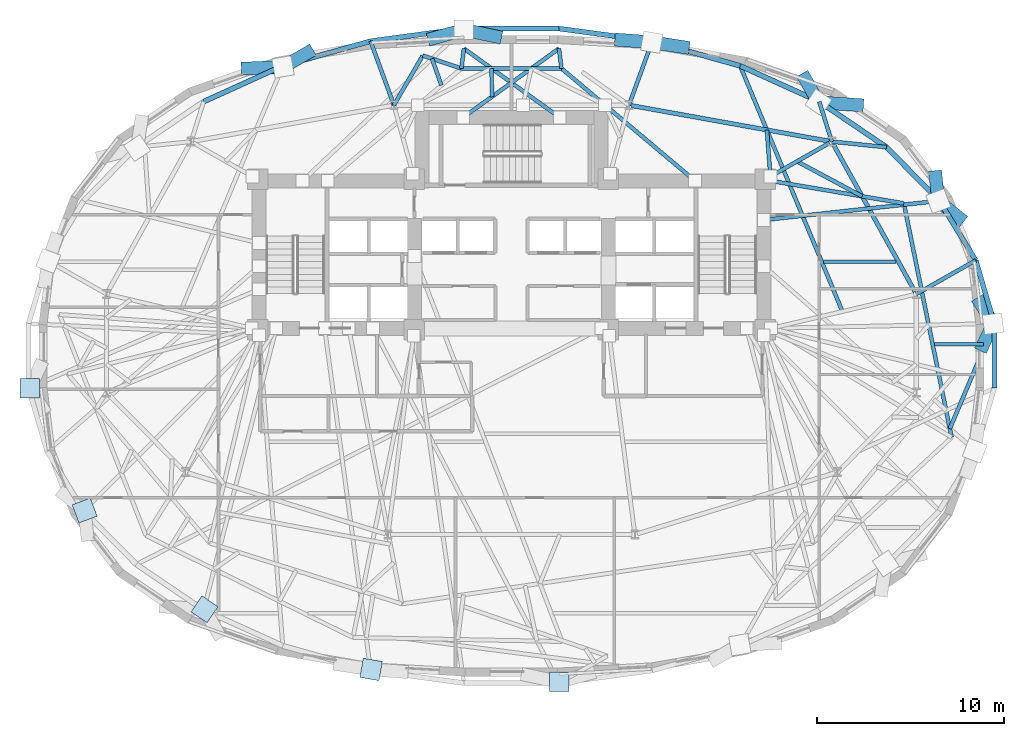
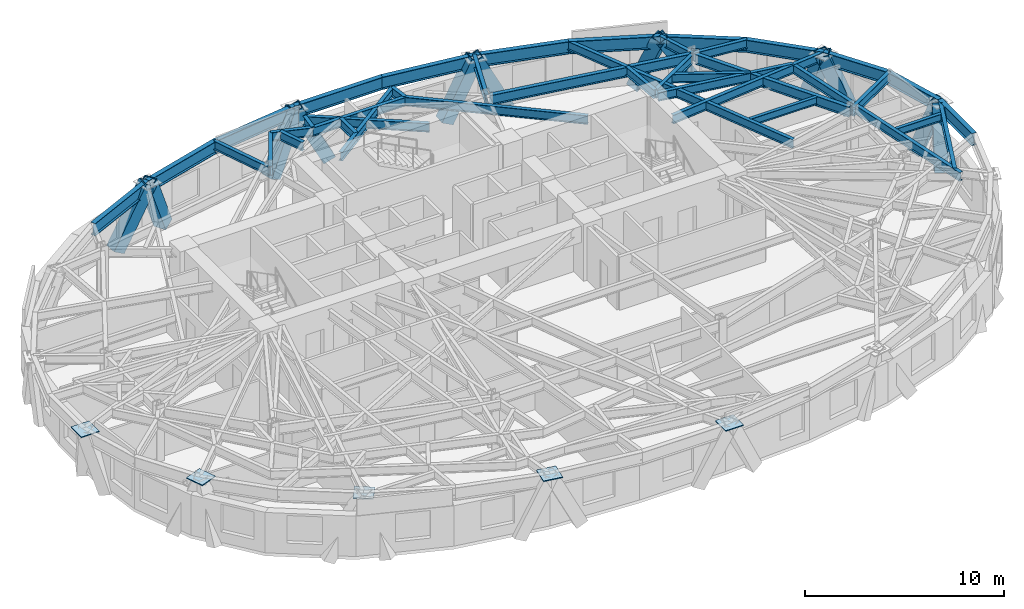
# One storey, part 4 of 13: 39 beams, 12 members, 5 plates.
"""IFC4 building model written with IfcOpenShell, lengths in metres."""

import ifcopenshell
import ifcopenshell.guid

model = None  # the IFC model being written
_history = None  # IfcOwnerHistory: only IFC2X3 demands one
_inside = {}  # id of a spatial element -> (the spatial element, [elements in it])
_under = {}  # id of a project, library or spatial element -> (it, [spatial elements below it])
_declared = {}  # id of a project -> (the project, [libraries it declares])
_typed = {}  # id of a type object -> (the type object, [elements of that type])
_made_of = {}  # id of a material, layer set ... -> (it, [elements and type objects made of it])


def new_model(schema):
    """Start an empty IFC model of exactly this schema.

    Asked for "IFC4X3", IfcOpenShell would pick the latest addendum, in which some entities
    have other attributes; the version numbers below select the first issue.
    IFC2X3 requires an IfcOwnerHistory on every rooted entity: one is made here for all.
    """
    global model, _history
    if schema == "IFC4X3":
        model = ifcopenshell.file(schema_version=(4, 3, 0, 0))
    else:
        model = ifcopenshell.file(schema=schema)
    _inside.clear()
    _under.clear()
    _declared.clear()
    _typed.clear()
    _made_of.clear()
    _history = None
    if model.schema == "IFC2X3":
        org = make("IfcOrganization", Name="unknown")
        user = make(
            "IfcPersonAndOrganization",
            ThePerson=make("IfcPerson", FamilyName="unknown"),
            TheOrganization=org,
        )
        app = make(
            "IfcApplication",
            ApplicationDeveloper=org,
            Version="unknown",
            ApplicationFullName="unknown",
            ApplicationIdentifier="unknown",
        )
        _history = make(
            "IfcOwnerHistory",
            OwningUser=user,
            OwningApplication=app,
            ChangeAction="ADDED",
            CreationDate=0,
        )
    return model


def make(cls, **values):
    """One entity of the class cls with the attributes given. An attribute that is None is left unset."""
    return model.create_entity(
        cls, **{name: value for name, value in values.items() if value is not None}
    )


def rooted(cls, **values):
    """An entity with a GlobalId (a new one), such as an element, a storey or a relation."""
    return make(cls, GlobalId=ifcopenshell.guid.new(), OwnerHistory=_history, **values)


def si_unit(unit_type, name, prefix=None):
    """IfcSIUnit, for example si_unit("LENGTHUNIT", "METRE", prefix="MILLI")."""
    return make("IfcSIUnit", UnitType=unit_type, Prefix=prefix, Name=name)


def assignment(units):
    """IfcUnitAssignment: the units of a project."""
    return None if units is None else make("IfcUnitAssignment", Units=units)


def point(xyz):
    """IfcCartesianPoint."""
    return None if xyz is None else make("IfcCartesianPoint", Coordinates=xyz)


def direction(xyz):
    """IfcDirection."""
    return None if xyz is None else make("IfcDirection", DirectionRatios=xyz)


def frame(location, z_axis=None, x_axis=None):
    """IfcAxis2Placement3D, a coordinate frame: its origin and axes. An axis left out is left unset."""
    return make(
        "IfcAxis2Placement3D",
        Location=point(location),
        Axis=direction(z_axis),
        RefDirection=direction(x_axis),
    )


def frame_2d(location, x_axis=None):
    """IfcAxis2Placement2D, a coordinate frame in the plane: its origin and x axis."""
    return make(
        "IfcAxis2Placement2D", Location=point(location), RefDirection=direction(x_axis)
    )


def origin():
    """The frame at (0, 0, 0) with its axes left unset."""
    return frame((0.0, 0.0, 0.0))


def origin_2d():
    """The frame at (0, 0) in the plane with its x axis left unset."""
    return frame_2d((0.0, 0.0))


def place(relative_to, where):
    """IfcLocalPlacement: puts the frame where relative to a parent placement (None: the world)."""
    return make(
        "IfcLocalPlacement", PlacementRelTo=relative_to, RelativePlacement=where
    )


def context(
    kind, dimensions, precision=None, world=None, true_north=None, identifier=None
):
    """IfcGeometricRepresentationContext, for example the 3D "Model" context."""
    return make(
        "IfcGeometricRepresentationContext",
        ContextIdentifier=identifier,
        ContextType=kind,
        CoordinateSpaceDimension=dimensions,
        Precision=precision,
        WorldCoordinateSystem=world,
        TrueNorth=true_north,
    )


def subcontext(parent, identifier, kind, view, scale=None):
    """IfcGeometricRepresentationSubContext, for example "Body" below "Model"."""
    return make(
        "IfcGeometricRepresentationSubContext",
        ContextIdentifier=identifier,
        ContextType=kind,
        ParentContext=parent,
        TargetScale=scale,
        TargetView=view,
    )


def project(units=None, contexts=None):
    """IfcProject with its units and contexts."""
    return rooted(
        "IfcProject",
        Name="project",
        RepresentationContexts=contexts,
        UnitsInContext=assignment(units),
    )


def spatial(cls, under=None, at=None, **own):
    """A site, building, storey or space (cls), placed at a placement, below another one or the project."""
    s = rooted(cls, ObjectPlacement=at, **own)
    if under is not None:
        _under.setdefault(under.id(), (under, []))[1].append(s)
    return s


def profile(cls, at=None, kind="AREA", **sizes):
    """A parametric profile (cls). Its sizes go by their IFC names, for example OverallWidth=200.0."""
    return make(cls, ProfileType=kind, Position=at, **sizes)


def rectangle(**sizes):
    """IfcRectangleProfileDef."""
    return profile("IfcRectangleProfileDef", **sizes)


def hollow_rectangle(**sizes):
    """IfcRectangleHollowProfileDef."""
    return profile("IfcRectangleHollowProfileDef", **sizes)


def i_section(**sizes):
    """IfcIShapeProfileDef."""
    return profile("IfcIShapeProfileDef", **sizes)


def extrude(swept, where, along, depth):
    """IfcExtrudedAreaSolid: the profile swept, set in the frame where, extruded along a direction by depth."""
    return make(
        "IfcExtrudedAreaSolid",
        SweptArea=swept,
        Position=where,
        ExtrudedDirection=direction(along),
        Depth=depth,
    )


def shape(context_of_items, identifier, shape_type, items):
    """IfcShapeRepresentation: the items that make up one representation, for example the "Body"."""
    return make(
        "IfcShapeRepresentation",
        ContextOfItems=context_of_items,
        RepresentationIdentifier=identifier,
        RepresentationType=shape_type,
        Items=items,
    )


def material(Name=None, Category=None):
    """IfcMaterial."""
    return make("IfcMaterial", Name=Name, Category=Category)


def layer(
    of_material, thickness, ventilated=None, Name=None, Category=None, Priority=None
):
    """IfcMaterialLayer: one layer of a wall or slab, of a material (None: an air gap)."""
    return make(
        "IfcMaterialLayer",
        Material=of_material,
        LayerThickness=thickness,
        IsVentilated=ventilated,
        Name=Name,
        Category=Category,
        Priority=Priority,
    )


def layer_set(layers, Name=None):
    """IfcMaterialLayerSet."""
    return make("IfcMaterialLayerSet", MaterialLayers=layers, LayerSetName=Name)


def material_profile(
    of_material, cross_section, Name=None, Category=None, Priority=None
):
    """IfcMaterialProfile: a cross section and its material."""
    return make(
        "IfcMaterialProfile",
        Name=Name,
        Material=of_material,
        Profile=cross_section,
        Priority=Priority,
        Category=Category,
    )


def profile_set(profiles, Name=None, composite=None):
    """IfcMaterialProfileSet."""
    return make(
        "IfcMaterialProfileSet",
        Name=Name,
        MaterialProfiles=profiles,
        CompositeProfile=composite,
    )


def made_of(thing, what):
    """Note that an element or type object is made of a material, layer set ...; save() writes the relation."""
    if what is not None:
        _made_of.setdefault(what.id(), (what, []))[1].append(thing)
    return thing


def type_object(cls, material=None, **own):
    """A type object (cls), such as IfcWallType, which elements share."""
    return made_of(rooted(cls, **own), material)


def element(
    cls,
    number,
    at=None,
    inside=None,
    cuts=None,
    type_object=None,
    material=None,
    context=None,
    identifier="Body",
    shape_type=None,
    held_by="IfcProductDefinitionShape",
    body=None,
    shapes=None,
    **own,
):
    """One element of the class cls, such as IfcWall. Its Tag is "e" and its number.

    at: its placement. inside: the storey or other place that contains it. cuts: it is an
    opening in that element (IfcRelVoidsElement). A single representation is given by context,
    identifier, shape_type and body (its items); several are given by shapes. held_by: the class
    of the entity that holds the representations. save() writes the other relations.
    """
    e = rooted(cls, Tag="e%d" % number, ObjectPlacement=at, **own)
    if body is not None:
        shapes = [shape(context, identifier, shape_type, body)]
    if shapes is not None:
        e.Representation = make(held_by, Representations=shapes)
    if inside is not None:
        _inside.setdefault(inside.id(), (inside, []))[1].append(e)
    if cuts is not None:
        rooted(
            "IfcRelVoidsElement", RelatingBuildingElement=cuts, RelatedOpeningElement=e
        )
    if type_object is not None:
        _typed.setdefault(type_object.id(), (type_object, []))[1].append(e)
    return made_of(e, material)


def aggregate(whole, parts):
    """IfcRelAggregates: a whole, such as a stair, and the parts it consists of."""
    return rooted("IfcRelAggregates", RelatingObject=whole, RelatedObjects=parts)


def save(model, path):
    """Write the relations noted so far, then the file.

    IfcRelAggregates (storeys below a building ...), IfcRelContainedInSpatialStructure (elements
    in a storey), IfcRelDefinesByType, IfcRelAssociatesMaterial and IfcRelDeclares: one each for
    every whole, place, type object, material and project.
    """
    for whole, parts in _under.values():
        aggregate(whole, parts)
    for where, things in _inside.values():
        rooted(
            "IfcRelContainedInSpatialStructure",
            RelatedElements=things,
            RelatingStructure=where,
        )
    for kind, things in _typed.values():
        rooted("IfcRelDefinesByType", RelatedObjects=things, RelatingType=kind)
    for what, things in _made_of.values():
        rooted("IfcRelAssociatesMaterial", RelatedObjects=things, RelatingMaterial=what)
    for by, libraries in _declared.values():
        rooted("IfcRelDeclares", RelatingContext=by, RelatedDefinitions=libraries)
    model.write(path)


model = new_model("IFC4")

# Units and contexts
model_context = context("Model", 3, precision=1e-05, world=origin(), true_north=direction((0.0, 1.0)))
body_context = subcontext(model_context, "Body", "Model", "MODEL_VIEW")
ifc_project = project(units=[si_unit("LENGTHUNIT", "METRE"), si_unit("AREAUNIT", "SQUARE_METRE"), si_unit("VOLUMEUNIT", "CUBIC_METRE"), si_unit("PLANEANGLEUNIT", "RADIAN"), si_unit("MASSUNIT", "GRAM", prefix="KILO")], contexts=[model_context])

# Site, building, storey
site_placement = place(None, origin())
site = spatial("IfcSite", under=ifc_project, at=site_placement, CompositionType="ELEMENT")
building_placement = place(site_placement, origin())
building = spatial("IfcBuilding", under=site, at=building_placement, Name="Keldmark Tower", CompositionType="ELEMENT")
storey_placement = place(building_placement, frame((0.0, 0.0, 131.60009765625)))
storey = spatial("IfcBuildingStorey", under=building, at=storey_placement, Name="L35", CompositionType="ELEMENT", Elevation=131.60009765625)

# Beams
ifc_material_1 = material(Name="Steel ASTM A992 Grade 50", Category="steel")
ifc_material_profile_1 = material_profile(ifc_material_1, i_section(OverallWidth=0.19091796875, OverallDepth=0.45703125, WebThickness=0.009033203125, FlangeThickness=0.014404296875, at=origin_2d()), Name="W18X50")
ifc_profile_set_1 = profile_set([ifc_material_profile_1], Name="Steel ASTM A992 Grade 50")
beam_type_1 = type_object("IfcBeamType", Name="Composite Floor Joist W18X50", PredefinedType="JOIST", material=ifc_profile_set_1)
beam_1_placement = place(storey_placement, frame((22.66748046875, 0.6201171875, 3.031494140625), z_axis=(1.0, 0.0, 0.0), x_axis=(0.0, 1.0, 0.0)))
element("IfcBeam", 1, at=beam_1_placement, inside=storey, type_object=beam_type_1, Name="L35 Composite Floor Joist J10", PredefinedType="JOIST", context=body_context, shape_type="SweptSolid", body=[
    extrude(i_section(OverallWidth=0.19091796875, OverallDepth=0.45703125, WebThickness=0.009033203125, FlangeThickness=0.014404296875, at=origin_2d()), origin(), (0.0, 0.0, 1.0), 2.634033203125),
])
beam_2_placement = place(storey_placement, frame((16.731201171875, 5.0400390625, 3.031494140625), z_axis=(1.0, 0.0, 0.0), x_axis=(0.0, 1.0, 0.0)))
element("IfcBeam", 2, at=beam_2_placement, inside=storey, type_object=beam_type_1, Name="L35 Composite Floor Joist J13", PredefinedType="JOIST", context=body_context, shape_type="SweptSolid", body=[
    extrude(i_section(OverallWidth=0.19091796875, OverallDepth=0.45703125, WebThickness=0.009033203125, FlangeThickness=0.014404296875, at=origin_2d()), origin(), (0.0, 0.0, 1.0), 3.885009765625),
])

# Members
ifc_material_2 = material(Name="Steel ASTM A572 Grade 50", Category="steel")
ifc_material_profile_2 = material_profile(ifc_material_2, hollow_rectangle(XDim=0.699951171875, YDim=0.699951171875, WallThickness=0.044921875, at=origin_2d()), Name="BOX700X700X45")
ifc_profile_set_2 = profile_set([ifc_material_profile_2], Name="Steel ASTM A572 Grade 50")
member_type = type_object("IfcMemberType", Name="Diagrid Zone 2 Brace BOX700X700X45", PredefinedType="BRACE", material=ifc_profile_set_2)
member_1_placement = place(storey_placement, frame((25.12890625, 2.82958984375, -0.27001953125), z_axis=(0.187989788576, -0.303619224523, 0.934063812537), x_axis=(0.850221241933, 0.526425531073, 0.0)))
element("IfcMember", 3, at=member_1_placement, inside=storey, type_object=member_type, Name="L35 Perimeter Diagrid Brace 01A", PredefinedType="BRACE", context=body_context, shape_type="SweptSolid", body=[
    extrude(hollow_rectangle(XDim=0.699951171875, YDim=0.699951171875, WallThickness=0.044921875, at=origin_2d()), origin(), (0.0, 0.0, 1.0), 3.650634765625),
])
member_2_placement = place(storey_placement, frame((23.985107421875, 7.39453125, -0.27001953125), z_axis=(-0.300968444386, 0.241857898473, 0.922454742755), x_axis=(-0.626404100601, -0.779498494386, 0.0)))
element("IfcMember", 4, at=member_2_placement, inside=storey, type_object=member_type, Name="L35 Perimeter Diagrid Brace 01B", PredefinedType="BRACE", context=body_context, shape_type="SweptSolid", body=[
    extrude(hollow_rectangle(XDim=0.699951171875, YDim=0.699951171875, WallThickness=0.044921875, at=origin_2d()), origin(), (0.0, 0.0, 1.0), 3.696533203125),
])
member_3_placement = place(storey_placement, frame((22.7333984375, 9.59716796875, -0.27001953125), z_axis=(0.039298289624, -0.360623523632, 0.931883210835), x_axis=(0.994114788061, 0.108331842769, 0.0)))
element("IfcMember", 5, at=member_3_placement, inside=storey, type_object=member_type, Name="L35 Perimeter Diagrid Brace 02A", PredefinedType="BRACE", context=body_context, shape_type="SweptSolid", body=[
    extrude(hollow_rectangle(XDim=0.699951171875, YDim=0.699951171875, WallThickness=0.044921875, at=origin_2d()), origin(), (0.0, 0.0, 1.0), 3.6591796875),
])
member_4_placement = place(storey_placement, frame((18.5673828125, 13.439697265625, -0.27001953125), z_axis=(-0.527593267763, 0.035488881407, 0.848755490767), x_axis=(-0.067113944412, -0.997745317436, 0.0)))
element("IfcMember", 6, at=member_4_placement, inside=storey, type_object=member_type, Name="L35 Perimeter Diagrid Brace 02B", PredefinedType="BRACE", context=body_context, shape_type="SweptSolid", body=[
    extrude(hollow_rectangle(XDim=0.699951171875, YDim=0.699951171875, WallThickness=0.044921875, at=origin_2d()), origin(), (0.0, 0.0, 1.0), 4.017578125),
])
member_5_placement = place(storey_placement, frame((15.735107421875, 14.845703125, -0.27001953125), z_axis=(0.194322168665, -0.342778251466, 0.919098452336), x_axis=(0.86993382308, 0.49316847371, 0.0)))
element("IfcMember", 7, at=member_5_placement, inside=storey, type_object=member_type, Name="L35 Perimeter Diagrid Brace 03A", PredefinedType="BRACE", context=body_context, shape_type="SweptSolid", body=[
    extrude(hollow_rectangle(XDim=0.699951171875, YDim=0.699951171875, WallThickness=0.044921875, at=origin_2d()), origin(), (0.0, 0.0, 1.0), 3.7099609375),
])
member_6_placement = place(storey_placement, frame((9.215576171875, 16.54248046875, -0.27001953125), z_axis=(-0.444362137961, 0.069637410885, 0.893136563663), x_axis=(-0.154823569596, -0.987942135096, 0.0)))
element("IfcMember", 8, at=member_6_placement, inside=storey, type_object=member_type, Name="L35 Perimeter Diagrid Brace 03B", PredefinedType="BRACE", context=body_context, shape_type="SweptSolid", body=[
    extrude(hollow_rectangle(XDim=0.699951171875, YDim=0.699951171875, WallThickness=0.044921875, at=origin_2d()), origin(), (0.0, 0.0, 1.0), 3.81787109375),
])
member_7_placement = place(storey_placement, frame((5.8515625, 16.926513671875, -0.27001953125), z_axis=(0.441399698439, -0.032230203435, 0.896731576451), x_axis=(0.072824302874, 0.997344785373, 0.0)))
element("IfcMember", 9, at=member_7_placement, inside=storey, type_object=member_type, Name="L35 Perimeter Diagrid Brace 04A", PredefinedType="BRACE", context=body_context, shape_type="SweptSolid", body=[
    extrude(hollow_rectangle(XDim=0.699951171875, YDim=0.699951171875, WallThickness=0.044921875, at=origin_2d()), origin(), (0.0, 0.0, 1.0), 3.802490234375),
])
member_8_placement = place(storey_placement, frame((-0.83740234375, 17.113525390625, -0.27001953125), z_axis=(-0.447684367224, 0.09441352625, 0.889193338597), x_axis=(-0.206354089794, -0.978477383298, 0.0)))
element("IfcMember", 10, at=member_8_placement, inside=storey, type_object=member_type, Name="L35 Perimeter Diagrid Brace 04B", PredefinedType="BRACE", context=body_context, shape_type="SweptSolid", body=[
    extrude(hollow_rectangle(XDim=0.699951171875, YDim=0.699951171875, WallThickness=0.044921875, at=origin_2d()), origin(), (0.0, 0.0, 1.0), 3.834716796875),
])
member_9_placement = place(storey_placement, frame((-4.17578125, 17.018798828125, -0.27001953125), z_axis=(0.42886921394, 0.119942346679, 0.895368656369), x_axis=(-0.269336240125, 0.963046203334, 0.0)))
element("IfcMember", 11, at=member_9_placement, inside=storey, type_object=member_type, Name="L35 Perimeter Diagrid Brace 05A", PredefinedType="BRACE", context=body_context, shape_type="SweptSolid", body=[
    extrude(hollow_rectangle(XDim=0.699951171875, YDim=0.699951171875, WallThickness=0.044921875, at=origin_2d()), origin(), (0.0, 0.0, 1.0), 3.808349609375),
])
member_10_placement = place(storey_placement, frame((-10.9140625, 16.244140625, -0.27001953125), z_axis=(-0.354569543412, -0.203908521281, 0.912524933267), x_axis=(0.49852814405, -0.866873514182, 0.0)))
element("IfcMember", 12, at=member_10_placement, inside=storey, type_object=member_type, Name="L35 Perimeter Diagrid Brace 05B", PredefinedType="BRACE", context=body_context, shape_type="SweptSolid", body=[
    extrude(hollow_rectangle(XDim=0.699951171875, YDim=0.699951171875, WallThickness=0.044921875, at=origin_2d()), origin(), (0.0, 0.0, 1.0), 3.73681640625),
])
member_11_placement = place(storey_placement, frame((-14.16796875, 15.39697265625, -0.27001953125), z_axis=(0.494360479109, 0.022832909116, 0.86895706163), x_axis=(-0.046137576123, 0.998935095023, 0.0)))
element("IfcMember", 13, at=member_11_placement, inside=storey, type_object=member_type, Name="L35 Perimeter Diagrid Brace 06A", PredefinedType="BRACE", context=body_context, shape_type="SweptSolid", body=[
    extrude(hollow_rectangle(XDim=0.699951171875, YDim=0.699951171875, WallThickness=0.044921875, at=origin_2d()), origin(), (0.0, 0.0, 1.0), 3.924072265625),
])
member_12_placement = place(storey_placement, frame((25.268310546875, 0.569580078125, -0.27001953125), z_axis=(0.150068834248, 0.319231247853, 0.935719378544), x_axis=(-0.904990797858, 0.425431141071, 0.0)))
element("IfcMember", 14, at=member_12_placement, inside=storey, type_object=member_type, Name="L35 Perimeter Diagrid Brace 16B", PredefinedType="BRACE", context=body_context, shape_type="SweptSolid", body=[
    extrude(hollow_rectangle(XDim=0.699951171875, YDim=0.699951171875, WallThickness=0.044921875, at=origin_2d()), origin(), (0.0, 0.0, 1.0), 3.64404296875),
])

# Beams
ifc_material_3 = material(Name="Steel ASTM A992 Grade 50", Category="steel")
ifc_material_profile_3 = material_profile(ifc_material_3, i_section(OverallWidth=0.22900390625, OverallDepth=0.612060546875, WebThickness=0.011962890625, FlangeThickness=0.01953125, at=origin_2d()), Name="W24X84")
ifc_profile_set_3 = profile_set([ifc_material_profile_3], Name="Steel ASTM A992 Grade 50")
beam_type_2 = type_object("IfcBeamType", Name="Primary Floor Girder W24X84", PredefinedType="BEAM", material=ifc_profile_set_3)
beam_3_placement = place(storey_placement, frame((21.62890625, 3.432373046875, 2.953857421875), z_axis=(-0.484951836703, 0.874540860154, 0.0), x_axis=(-0.874540860154, -0.484951836703, 0.0)))
element("IfcBeam", 15, at=beam_3_placement, inside=storey, type_object=beam_type_2, Name="L35 Floor Ring Girder FG-R01", PredefinedType="BEAM", context=body_context, shape_type="SweptSolid", body=[
    extrude(i_section(OverallWidth=0.22900390625, OverallDepth=0.612060546875, WebThickness=0.011962890625, FlangeThickness=0.01953125, at=origin_2d()), origin(), (0.0, 0.0, 1.0), 9.060302734375),
])
beam_4_placement = place(storey_placement, frame((17.029296875, 11.503173828125, 2.953857421875), z_axis=(-0.984218266992, 0.176958760505, 0.0), x_axis=(-0.176958760505, -0.984218266992, 0.0)))
element("IfcBeam", 16, at=beam_4_placement, inside=storey, type_object=beam_type_2, Name="L35 Floor Ring Girder FG-R02", PredefinedType="BEAM", context=body_context, shape_type="SweptSolid", body=[
    extrude(i_section(OverallWidth=0.22900390625, OverallDepth=0.612060546875, WebThickness=0.011962890625, FlangeThickness=0.01953125, at=origin_2d()), origin(), (0.0, 0.0, 1.0), 10.7626953125),
])
ifc_material_4 = material(Name="Steel ASTM A992 Grade 50", Category="steel")
ifc_material_profile_4 = material_profile(ifc_material_4, i_section(OverallWidth=0.2099609375, OverallDepth=0.537109375, WebThickness=0.010986328125, FlangeThickness=0.017333984375, at=origin_2d()), Name="W21X68")
ifc_profile_set_4 = profile_set([ifc_material_profile_4], Name="Steel ASTM A992 Grade 50")
beam_type_3 = type_object("IfcBeamType", Name="Radial Tie Girder W21X68", PredefinedType="BEAM", material=ifc_profile_set_4)
beam_5_placement = place(storey_placement, frame((17.04541015625, 11.4091796875, 2.991455078125), z_axis=(-0.86928447329, -0.494312152892, 0.0), x_axis=(0.494312152892, -0.86928447329, 0.0)))
element("IfcBeam", 17, at=beam_5_placement, inside=storey, type_object=beam_type_3, Name="L35 Floor Radial Girder FG-C02", PredefinedType="BEAM", context=body_context, shape_type="SweptSolid", body=[
    extrude(i_section(OverallWidth=0.2099609375, OverallDepth=0.537109375, WebThickness=0.010986328125, FlangeThickness=0.017333984375, at=origin_2d()), origin(), (0.0, 0.0, 1.0), 3.6435546875),
])
beam_6_placement = place(storey_placement, frame((9.83935546875, 9.375, 2.991455078125), z_axis=(-0.765223027073, 0.643765266877, 0.0), x_axis=(-0.643765266877, -0.765223027073, 0.0)))
element("IfcBeam", 18, at=beam_6_placement, inside=storey, type_object=beam_type_3, Name="L35 Sub-Ring Step Girder STP1-M03", PredefinedType="BEAM", context=body_context, shape_type="SweptSolid", body=[
    extrude(i_section(OverallWidth=0.2099609375, OverallDepth=0.537109375, WebThickness=0.010986328125, FlangeThickness=0.017333984375, at=origin_2d()), origin(), (0.0, 0.0, 1.0), 9.35693359375),
])
beam_7_placement = place(storey_placement, frame((2.67919921875, 15.398681640625, 2.991455078125), z_axis=(-1.0, 0.0, 0.0), x_axis=(0.0, -1.0, 0.0)))
element("IfcBeam", 19, at=beam_7_placement, inside=storey, type_object=beam_type_3, Name="L35 Perimeter Collector Ring Beam CRG1-M03", PredefinedType="BEAM", context=body_context, shape_type="SweptSolid", body=[
    extrude(i_section(OverallWidth=0.2099609375, OverallDepth=0.537109375, WebThickness=0.010986328125, FlangeThickness=0.017333984375, at=origin_2d()), origin(), (0.0, 0.0, 1.0), 5.3583984375),
])
beam_8_placement = place(storey_placement, frame((15.303466796875, 10.418701171875, 2.991455078125), z_axis=(0.881220414023, -0.472705597502, 0.0), x_axis=(0.472705597502, 0.881220414023, 0.0)))
element("IfcBeam", 20, at=beam_8_placement, inside=storey, type_object=beam_type_3, Name="L35 Framing Pin Header PH-008", PredefinedType="BEAM", context=body_context, shape_type="SweptSolid", body=[
    extrude(i_section(OverallWidth=0.2099609375, OverallDepth=0.537109375, WebThickness=0.010986328125, FlangeThickness=0.017333984375, at=origin_2d()), origin(), (0.0, 0.0, 1.0), 3.959228515625),
])
beam_9_placement = place(storey_placement, frame((13.89990234375, 9.375, 2.991455078125), z_axis=(0.985985756237, -0.166829519265, 0.0), x_axis=(0.166829519265, 0.985985756237, 0.0)))
element("IfcBeam", 21, at=beam_9_placement, inside=storey, type_object=beam_type_3, Name="L35 Sub-Ring Step Girder STP2-M01", PredefinedType="BEAM", context=body_context, shape_type="SweptSolid", body=[
    extrude(i_section(OverallWidth=0.2099609375, OverallDepth=0.537109375, WebThickness=0.010986328125, FlangeThickness=0.017333984375, at=origin_2d()), origin(), (0.0, 0.0, 1.0), 7.230712890625),
])
beam_10_placement = place(storey_placement, frame((23.587646484375, -4.370361328125, 2.991455078125), z_axis=(-0.199911795809, 0.979813897583, 0.0), x_axis=(-0.979813897583, -0.199911795809, 0.0)))
element("IfcBeam", 22, at=beam_10_placement, inside=storey, type_object=beam_type_3, Name="L35 Perimeter Collector Ring Beam CRG2-M12", PredefinedType="BEAM", context=body_context, shape_type="SweptSolid", body=[
    extrude(i_section(OverallWidth=0.2099609375, OverallDepth=0.537109375, WebThickness=0.010986328125, FlangeThickness=0.017333984375, at=origin_2d()), origin(), (0.0, 0.0, 1.0), 12.79736328125),
])
beam_11_placement = place(storey_placement, frame((21.697021484375, 3.309814453125, 2.991455078125), z_axis=(0.869901017137, 0.493226337886, 0.0), x_axis=(-0.493226337886, 0.869901017137, 0.0)))
element("IfcBeam", 23, at=beam_11_placement, inside=storey, type_object=beam_type_3, Name="L35 Perimeter Column Bracket RT-02", PredefinedType="BEAM", context=body_context, shape_type="SweptSolid", body=[
    extrude(i_section(OverallWidth=0.2099609375, OverallDepth=0.537109375, WebThickness=0.010986328125, FlangeThickness=0.017333984375, at=origin_2d()), origin(), (0.0, 0.0, 1.0), 3.659423828125),
])
beam_12_placement = place(storey_placement, frame((13.52490234375, 7.278564453125, 2.991455078125), z_axis=(0.994086891117, 0.108587535701, 0.0), x_axis=(-0.108587535701, 0.994086891117, 0.0)))
element("IfcBeam", 24, at=beam_12_placement, inside=storey, type_object=beam_type_3, Name="L35 Perimeter Radial Tie Girder RT-03", PredefinedType="BEAM", context=body_context, shape_type="SweptSolid", body=[
    extrude(i_section(OverallWidth=0.2099609375, OverallDepth=0.537109375, WebThickness=0.010986328125, FlangeThickness=0.017333984375, at=origin_2d()), origin(), (0.0, 0.0, 1.0), 9.4609375),
])
beam_13_placement = place(storey_placement, frame((17.1669921875, 11.478271484375, 2.991455078125), z_axis=(0.994793936975, -0.101906932829, 0.0), x_axis=(0.101906932829, 0.994793936975, 0.0)))
element("IfcBeam", 25, at=beam_13_placement, inside=storey, type_object=beam_type_3, Name="L35 Perimeter Column Bracket RT-04", PredefinedType="BEAM", context=body_context, shape_type="SweptSolid", body=[
    extrude(i_section(OverallWidth=0.2099609375, OverallDepth=0.537109375, WebThickness=0.010986328125, FlangeThickness=0.017333984375, at=origin_2d()), origin(), (0.0, 0.0, 1.0), 2.94677734375),
])
beam_14_placement = place(storey_placement, frame((17.1669921875, 11.478271484375, 2.991455078125), z_axis=(-0.299673911383, 0.954041690303, 0.0), x_axis=(-0.954041690303, -0.299673911383, 0.0)))
element("IfcBeam", 26, at=beam_14_placement, inside=storey, type_object=beam_type_3, Name="L35 Perimeter Column Bracket RT-05", PredefinedType="BEAM", context=body_context, shape_type="SweptSolid", body=[
    extrude(i_section(OverallWidth=0.2099609375, OverallDepth=0.537109375, WebThickness=0.010986328125, FlangeThickness=0.017333984375, at=origin_2d()), origin(), (0.0, 0.0, 1.0), 2.245361328125),
])
beam_15_placement = place(storey_placement, frame((13.878173828125, 9.608154296875, 2.991455078125), z_axis=(-0.076651753733, 0.997057926426, 0.0), x_axis=(-0.997057926426, -0.076651753733, 0.0)))
element("IfcBeam", 27, at=beam_15_placement, inside=storey, type_object=beam_type_3, Name="L35 Framing Pin Header PH-016", PredefinedType="BEAM", context=body_context, shape_type="SweptSolid", body=[
    extrude(i_section(OverallWidth=0.2099609375, OverallDepth=0.537109375, WebThickness=0.010986328125, FlangeThickness=0.017333984375, at=origin_2d()), origin(), (0.0, 0.0, 1.0), 2.50341796875),
])
beam_16_placement = place(storey_placement, frame((17.736083984375, 2.375732421875, 2.991455078125), z_axis=(-0.384305341623, 0.923206046557, 0.0), x_axis=(-0.923206046557, -0.384305341623, 0.0)))
element("IfcBeam", 28, at=beam_16_placement, inside=storey, type_object=beam_type_3, Name="L35 Perimeter Radial Tie Girder RT-06", PredefinedType="BEAM", context=body_context, shape_type="SweptSolid", body=[
    extrude(i_section(OverallWidth=0.2099609375, OverallDepth=0.537109375, WebThickness=0.010986328125, FlangeThickness=0.017333984375, at=origin_2d()), origin(), (0.0, 0.0, 1.0), 14.2587890625),
])
beam_17_placement = place(storey_placement, frame((6.298828125, 13.4326171875, 2.991455078125), z_axis=(0.342162052096, 0.939640958082, 0.0), x_axis=(-0.939640958082, 0.342162052096, 0.0)))
element("IfcBeam", 29, at=beam_17_placement, inside=storey, type_object=beam_type_3, Name="L35 Perimeter Column Bracket RT-07", PredefinedType="BEAM", context=body_context, shape_type="SweptSolid", body=[
    extrude(i_section(OverallWidth=0.2099609375, OverallDepth=0.537109375, WebThickness=0.010986328125, FlangeThickness=0.017333984375, at=origin_2d()), origin(), (0.0, 0.0, 1.0), 3.64892578125),
])
beam_18_placement = place(storey_placement, frame((-2.58740234375, 12.77490234375, 2.991455078125), z_axis=(0.81197192329, 0.583696492869, 0.0), x_axis=(-0.583696492869, 0.81197192329, 0.0)))
element("IfcBeam", 30, at=beam_18_placement, inside=storey, type_object=beam_type_3, Name="L35 Intermediate Radial Step Girder RT-08M", PredefinedType="BEAM", context=body_context, shape_type="SweptSolid", body=[
    extrude(i_section(OverallWidth=0.2099609375, OverallDepth=0.537109375, WebThickness=0.010986328125, FlangeThickness=0.017333984375, at=origin_2d()), origin(), (0.0, 0.0, 1.0), 6.324951171875),
])
beam_19_placement = place(storey_placement, frame((2.67919921875, 15.398681640625, 2.991455078125), z_axis=(-0.121605054099, 0.992578566572, 0.0), x_axis=(-0.992578566572, -0.121605054099, 0.0)))
element("IfcBeam", 31, at=beam_19_placement, inside=storey, type_object=beam_type_3, Name="L35 Local Collector Chord RT-08C", PredefinedType="BEAM", context=body_context, shape_type="SweptSolid", body=[
    extrude(i_section(OverallWidth=0.2099609375, OverallDepth=0.537109375, WebThickness=0.010986328125, FlangeThickness=0.017333984375, at=origin_2d()), origin(), (0.0, 0.0, 1.0), 1.076171875),
])
beam_20_placement = place(storey_placement, frame((-1.046630859375, 13.882568359375, 2.991455078125), z_axis=(-0.010305410863, 0.999946897844, 0.0), x_axis=(-0.999946897844, -0.010305410863, 0.0)))
element("IfcBeam", 32, at=beam_20_placement, inside=storey, type_object=beam_type_3, Name="L35 Framing Pin Header PH-018", PredefinedType="BEAM", context=body_context, shape_type="SweptSolid", body=[
    extrude(i_section(OverallWidth=0.2099609375, OverallDepth=0.537109375, WebThickness=0.010986328125, FlangeThickness=0.017333984375, at=origin_2d()), origin(), (0.0, 0.0, 1.0), 1.51611328125),
])
beam_21_placement = place(storey_placement, frame((2.58740234375, 12.77490234375, 2.991455078125), z_axis=(-0.81197192329, 0.583696492869, 0.0), x_axis=(-0.583696492869, -0.81197192329, 0.0)))
element("IfcBeam", 33, at=beam_21_placement, inside=storey, type_object=beam_type_3, Name="L35 Intermediate Radial Step Girder RT-09M", PredefinedType="BEAM", context=body_context, shape_type="SweptSolid", body=[
    extrude(i_section(OverallWidth=0.2099609375, OverallDepth=0.537109375, WebThickness=0.010986328125, FlangeThickness=0.017333984375, at=origin_2d()), origin(), (0.0, 0.0, 1.0), 6.324951171875),
])
beam_22_placement = place(storey_placement, frame((-2.67919921875, 15.398681640625, 2.991455078125), z_axis=(0.121605054099, 0.992578566572, 0.0), x_axis=(-0.992578566572, 0.121605054099, 0.0)))
element("IfcBeam", 34, at=beam_22_placement, inside=storey, type_object=beam_type_3, Name="L35 Local Collector Chord RT-09C", PredefinedType="BEAM", context=body_context, shape_type="SweptSolid", body=[
    extrude(i_section(OverallWidth=0.2099609375, OverallDepth=0.537109375, WebThickness=0.010986328125, FlangeThickness=0.017333984375, at=origin_2d()), origin(), (0.0, 0.0, 1.0), 1.076171875),
])
beam_23_placement = place(storey_placement, frame((-6.298828125, 13.4326171875, 2.991455078125), z_axis=(-0.342162052096, 0.939640958082, 0.0), x_axis=(-0.939640958082, -0.342162052096, 0.0)))
element("IfcBeam", 35, at=beam_23_placement, inside=storey, type_object=beam_type_3, Name="L35 Perimeter Column Bracket RT-10", PredefinedType="BEAM", context=body_context, shape_type="SweptSolid", body=[
    extrude(i_section(OverallWidth=0.2099609375, OverallDepth=0.537109375, WebThickness=0.010986328125, FlangeThickness=0.017333984375, at=origin_2d()), origin(), (0.0, 0.0, 1.0), 3.64892578125),
])
beam_24_placement = place(storey_placement, frame((25.874755859375, 1.72705078125, 2.991455078125), z_axis=(-0.389808077589, -0.920896119357, 0.0), x_axis=(0.920896119357, -0.389808077589, 0.0)))
element("IfcBeam", 36, at=beam_24_placement, inside=storey, type_object=beam_type_3, Name="L35 Framing Pin Header PH-036", PredefinedType="BEAM", context=body_context, shape_type="SweptSolid", body=[
    extrude(i_section(OverallWidth=0.2099609375, OverallDepth=0.537109375, WebThickness=0.010986328125, FlangeThickness=0.017333984375, at=origin_2d()), origin(), (0.0, 0.0, 1.0), 6.112060546875),
])
beam_25_placement = place(storey_placement, frame((-6.298828125, 13.4326171875, 2.991455078125), z_axis=(0.503228303976, 0.864153501456, 0.0), x_axis=(-0.864153501456, 0.503228303976, 0.0)))
element("IfcBeam", 37, at=beam_25_placement, inside=storey, type_object=beam_type_3, Name="L35 Column Step Bracket RT-09RS", PredefinedType="BEAM", context=body_context, shape_type="SweptSolid", body=[
    extrude(i_section(OverallWidth=0.2099609375, OverallDepth=0.537109375, WebThickness=0.010986328125, FlangeThickness=0.017333984375, at=origin_2d()), origin(), (0.0, 0.0, 1.0), 3.071044921875),
])
beam_26_placement = place(storey_placement, frame((-4.75341796875, 16.08642578125, 2.991455078125), z_axis=(0.949184845344, -0.314719127746, 0.0), x_axis=(0.314719127746, 0.949184845344, 0.0)))
element("IfcBeam", 38, at=beam_26_placement, inside=storey, type_object=beam_type_3, Name="L35 Column Step Chord RT-09RK", PredefinedType="BEAM", context=body_context, shape_type="SweptSolid", body=[
    extrude(i_section(OverallWidth=0.2099609375, OverallDepth=0.537109375, WebThickness=0.010986328125, FlangeThickness=0.017333984375, at=origin_2d()), origin(), (0.0, 0.0, 1.0), 2.185302734375),
])
beam_27_placement = place(storey_placement, frame((-3.753173828125, 14.4951171875, 2.991455078125), z_axis=(-0.333115431913, 0.942886053042, 0.0), x_axis=(-0.942886053042, -0.333115431913, 0.0)))
element("IfcBeam", 39, at=beam_27_placement, inside=storey, type_object=beam_type_3, Name="L35 Framing Pin Header PH-038", PredefinedType="BEAM", context=body_context, shape_type="SweptSolid", body=[
    extrude(i_section(OverallWidth=0.2099609375, OverallDepth=0.537109375, WebThickness=0.010986328125, FlangeThickness=0.017333984375, at=origin_2d()), origin(), (0.0, 0.0, 1.0), 1.513427734375),
])
ifc_material_5 = material(Name="Steel ASTM A992 Grade 50", Category="steel")
ifc_material_profile_5 = material_profile(ifc_material_5, i_section(OverallWidth=0.26806640625, OverallDepth=0.77001953125, WebThickness=0.015625, FlangeThickness=0.025390625, at=origin_2d()), Name="W30X132")
ifc_profile_set_5 = profile_set([ifc_material_profile_5], Name="Steel ASTM A992 Grade 50")
beam_type_4 = type_object("IfcBeamType", Name="Spandrel Ring Beam W30X132", PredefinedType="SPANDREL", material=ifc_profile_set_5)
beam_28_placement = place(storey_placement, frame((25.874755859375, 1.72705078125, 2.875), z_axis=(-0.281645899487, 0.959518414259, 0.0), x_axis=(-0.959518414259, -0.281645899487, 0.0)))
element("IfcBeam", 40, at=beam_28_placement, inside=storey, type_object=beam_type_4, Name="L35 Perimeter Spandrel Ring Beam SRB-01", PredefinedType="SPANDREL", context=body_context, shape_type="SweptSolid", body=[
    extrude(i_section(OverallWidth=0.26806640625, OverallDepth=0.77001953125, WebThickness=0.015625, FlangeThickness=0.025390625, at=origin_2d()), origin(), (0.0, 0.0, 1.0), 3.530517578125),
])
beam_29_placement = place(storey_placement, frame((24.88037109375, 5.11474609375, 2.875), z_axis=(-0.521505457928, 0.853247945999, 0.0), x_axis=(-0.853247945999, -0.521505457928, 0.0)))
element("IfcBeam", 41, at=beam_29_placement, inside=storey, type_object=beam_type_4, Name="L35 Perimeter Spandrel Ring Beam SRB-02", PredefinedType="SPANDREL", context=body_context, shape_type="SweptSolid", body=[
    extrude(i_section(OverallWidth=0.26806640625, OverallDepth=0.77001953125, WebThickness=0.015625, FlangeThickness=0.025390625, at=origin_2d()), origin(), (0.0, 0.0, 1.0), 3.739990234375),
])
beam_30_placement = place(storey_placement, frame((22.929931640625, 8.305908203125, 2.875), z_axis=(-0.702064671311, 0.712113191352, 0.0), x_axis=(-0.712113191352, -0.702064671311, 0.0)))
element("IfcBeam", 42, at=beam_30_placement, inside=storey, type_object=beam_type_4, Name="L35 Perimeter Spandrel Ring Beam SRB-03", PredefinedType="SPANDREL", context=body_context, shape_type="SweptSolid", body=[
    extrude(i_section(OverallWidth=0.26806640625, OverallDepth=0.77001953125, WebThickness=0.015625, FlangeThickness=0.025390625, at=origin_2d()), origin(), (0.0, 0.0, 1.0), 4.033203125),
])
beam_31_placement = place(storey_placement, frame((20.098388671875, 11.177978515625, 2.875), z_axis=(-0.827833848723, 0.560973367379, 0.0), x_axis=(-0.560973367379, -0.827833848723, 0.0)))
element("IfcBeam", 43, at=beam_31_placement, inside=storey, type_object=beam_type_4, Name="L35 Perimeter Spandrel Ring Beam SRB-04", PredefinedType="SPANDREL", context=body_context, shape_type="SweptSolid", body=[
    extrude(i_section(OverallWidth=0.26806640625, OverallDepth=0.77001953125, WebThickness=0.015625, FlangeThickness=0.025390625, at=origin_2d()), origin(), (0.0, 0.0, 1.0), 4.353759765625),
])
beam_32_placement = place(storey_placement, frame((16.494140625, 13.620361328125, 2.875), z_axis=(-0.910938924115, 0.412541242221, 0.0), x_axis=(-0.412541242221, -0.910938924115, 0.0)))
element("IfcBeam", 44, at=beam_32_placement, inside=storey, type_object=beam_type_4, Name="L35 Perimeter Spandrel Ring Beam SRB-05", PredefinedType="SPANDREL", context=body_context, shape_type="SweptSolid", body=[
    extrude(i_section(OverallWidth=0.26806640625, OverallDepth=0.77001953125, WebThickness=0.015625, FlangeThickness=0.025390625, at=origin_2d()), origin(), (0.0, 0.0, 1.0), 4.652099609375),
])
beam_33_placement = place(storey_placement, frame((12.25634765625, 15.53955078125, 2.875), z_axis=(-0.962790668442, 0.270248272446, 0.0), x_axis=(-0.270248272446, -0.962790668442, 0.0)))
element("IfcBeam", 45, at=beam_33_placement, inside=storey, type_object=beam_type_4, Name="L35 Perimeter Spandrel Ring Beam SRB-06", PredefinedType="SPANDREL", context=body_context, shape_type="SweptSolid", body=[
    extrude(i_section(OverallWidth=0.26806640625, OverallDepth=0.77001953125, WebThickness=0.015625, FlangeThickness=0.025390625, at=origin_2d()), origin(), (0.0, 0.0, 1.0), 4.890869140625),
])
beam_34_placement = place(storey_placement, frame((7.54736328125, 16.861328125, 2.875), z_axis=(-0.99103751038, 0.133583880086, 0.0), x_axis=(-0.133583880086, -0.99103751038, 0.0)))
element("IfcBeam", 46, at=beam_34_placement, inside=storey, type_object=beam_type_4, Name="L35 Perimeter Spandrel Ring Beam SRB-07", PredefinedType="SPANDREL", context=body_context, shape_type="SweptSolid", body=[
    extrude(i_section(OverallWidth=0.26806640625, OverallDepth=0.77001953125, WebThickness=0.015625, FlangeThickness=0.025390625, at=origin_2d()), origin(), (0.0, 0.0, 1.0), 5.044189453125),
])
beam_35_placement = place(storey_placement, frame((2.54833984375, 17.53515625, 2.875), z_axis=(-1.0, 0.0, 0.0), x_axis=(0.0, -1.0, 0.0)))
element("IfcBeam", 47, at=beam_35_placement, inside=storey, type_object=beam_type_4, Name="L35 Perimeter Spandrel Ring Beam SRB-08", PredefinedType="SPANDREL", context=body_context, shape_type="SweptSolid", body=[
    extrude(i_section(OverallWidth=0.26806640625, OverallDepth=0.77001953125, WebThickness=0.015625, FlangeThickness=0.025390625, at=origin_2d()), origin(), (0.0, 0.0, 1.0), 5.0966796875),
])
beam_36_placement = place(storey_placement, frame((-2.54833984375, 17.53515625, 2.875), z_axis=(-0.99103751038, -0.133583880086, 0.0), x_axis=(0.133583880086, -0.99103751038, 0.0)))
element("IfcBeam", 48, at=beam_36_placement, inside=storey, type_object=beam_type_4, Name="L35 Perimeter Spandrel Ring Beam SRB-09", PredefinedType="SPANDREL", context=body_context, shape_type="SweptSolid", body=[
    extrude(i_section(OverallWidth=0.26806640625, OverallDepth=0.77001953125, WebThickness=0.015625, FlangeThickness=0.025390625, at=origin_2d()), origin(), (0.0, 0.0, 1.0), 5.044189453125),
])
beam_37_placement = place(storey_placement, frame((-7.54736328125, 16.861328125, 2.875), z_axis=(-0.962790668442, -0.270248272446, 0.0), x_axis=(0.270248272446, -0.962790668442, 0.0)))
element("IfcBeam", 49, at=beam_37_placement, inside=storey, type_object=beam_type_4, Name="L35 Perimeter Spandrel Ring Beam SRB-10", PredefinedType="SPANDREL", context=body_context, shape_type="SweptSolid", body=[
    extrude(i_section(OverallWidth=0.26806640625, OverallDepth=0.77001953125, WebThickness=0.015625, FlangeThickness=0.025390625, at=origin_2d()), origin(), (0.0, 0.0, 1.0), 4.890869140625),
])
beam_38_placement = place(storey_placement, frame((-12.25634765625, 15.53955078125, 2.875), z_axis=(-0.910938924115, -0.412541242221, 0.0), x_axis=(0.412541242221, -0.910938924115, 0.0)))
element("IfcBeam", 50, at=beam_38_placement, inside=storey, type_object=beam_type_4, Name="L35 Perimeter Spandrel Ring Beam SRB-11", PredefinedType="SPANDREL", context=body_context, shape_type="SweptSolid", body=[
    extrude(i_section(OverallWidth=0.26806640625, OverallDepth=0.77001953125, WebThickness=0.015625, FlangeThickness=0.025390625, at=origin_2d()), origin(), (0.0, 0.0, 1.0), 4.652099609375),
])
beam_39_placement = place(storey_placement, frame((25.874755859375, -1.72705078125, 2.875), z_axis=(0.0, 1.0, 0.0), x_axis=(-1.0, 0.0, 0.0)))
element("IfcBeam", 51, at=beam_39_placement, inside=storey, type_object=beam_type_4, Name="L35 Perimeter Spandrel Ring Beam SRB-32", PredefinedType="SPANDREL", context=body_context, shape_type="SweptSolid", body=[
    extrude(i_section(OverallWidth=0.26806640625, OverallDepth=0.77001953125, WebThickness=0.015625, FlangeThickness=0.025390625, at=origin_2d()), origin(), (0.0, 0.0, 1.0), 3.4541015625),
])

# Plates
ifc_material_6 = material(Name="Steel ASTM A572 Grade 50", Category="steel")
ifc_layer = layer(ifc_material_6, 0.054931640625)
ifc_layer_set = layer_set([ifc_layer], Name="Steel ASTM A572 Grade 50")
plate_type = type_object("IfcPlateType", Name="Diagrid Node Assembly DN03 55 mm", PredefinedType="USERDEFINED", material=ifc_layer_set)
for number, where, z_axis, x_axis, name in (
    (52, (-25.815185546875, -1.73291015625, 3.1123046875), (0.0, 0.0, 1.0), (0.0, -1.0, 0.0), "L35 Diagrid Node Assembly 16"),
    (53, (-22.87255859375, -8.28857421875, 3.1123046875), (0.0, 0.0, 1.0), (0.354291037998, -0.935135209686, 0.0), "L35 Diagrid Node Assembly 18"),
    (54, (-16.44775390625, -13.582275390625, 3.1123046875), (0.0, 0.0, 1.0), (0.827668733006, -0.561216953062, 0.0), "L35 Diagrid Node Assembly 20"),
    (55, (-7.51904296875, -16.808349609375, 3.1123046875), (0.0, 0.0, 1.0), (0.985169280715, -0.171585221787, 0.0), "L35 Diagrid Node Assembly 22"),
    (56, (2.55419921875, -17.4755859375, 3.1123046875), (0.0, 0.0, 1.0), (1.0, 0.0, 0.0), "L35 Diagrid Node Assembly 24"),
):
    element("IfcPlate", number, at=place(storey_placement, frame(where, z_axis=z_axis, x_axis=x_axis)), inside=storey, type_object=plate_type, Name=name, ObjectType="GUSSET", PredefinedType="USERDEFINED", context=body_context, shape_type="SweptSolid", body=[
        extrude(rectangle(XDim=1.0400390625, YDim=1.0400390625, at=origin_2d()), origin(), (0.0, 0.0, 1.0), 0.054931640625),
    ])

save(model, "model.ifc")
